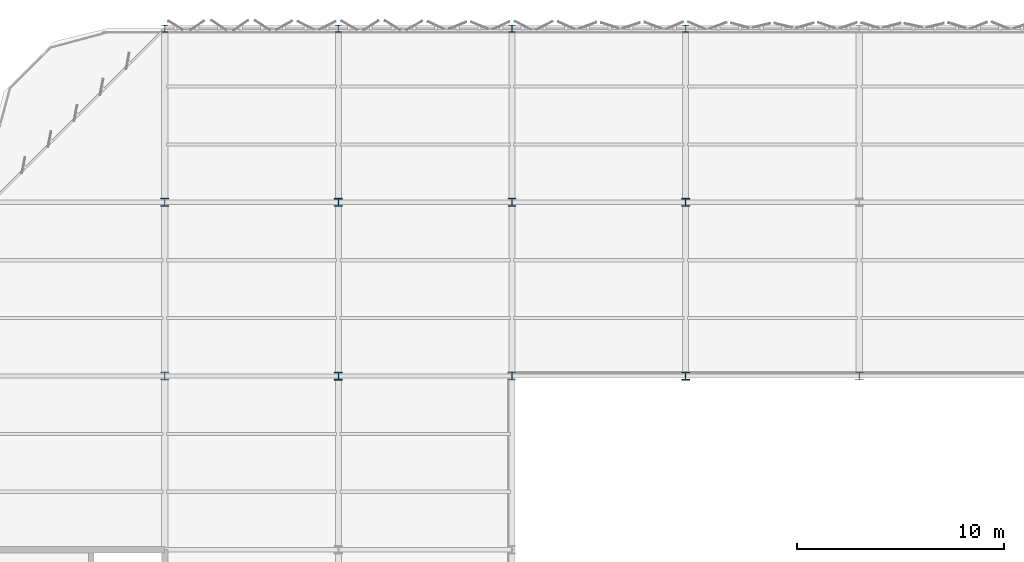
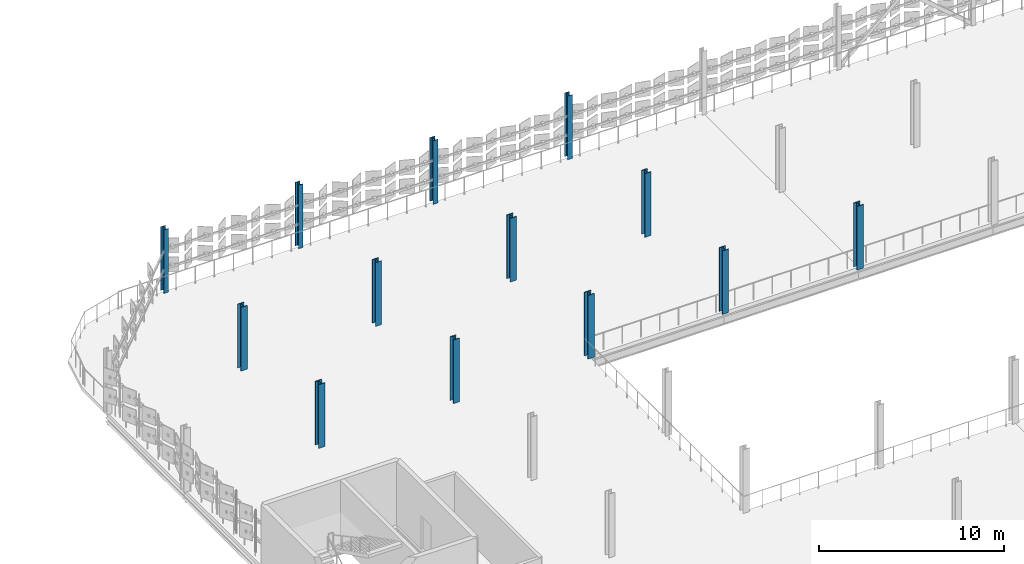
# One storey, part 13 of 184: 13 columns.
"""IFC4 building model written with IfcOpenShell, lengths in metres."""

from ifc_helpers import new_model, si_unit, direction, frame, origin, origin_2d, place, context, subcontext, project, spatial, i_section, extrude, material, material_profile, profile_set, type_object, element, save


model = new_model("IFC4")

# Units and contexts
model_context = context("Model", 3, precision=1e-05, world=origin(), true_north=direction((0.0, 1.0)))
body_context = subcontext(model_context, "Body", "Model", "MODEL_VIEW")
ifc_project = project(units=[si_unit("LENGTHUNIT", "METRE"), si_unit("AREAUNIT", "SQUARE_METRE"), si_unit("VOLUMEUNIT", "CUBIC_METRE"), si_unit("PLANEANGLEUNIT", "RADIAN"), si_unit("MASSUNIT", "GRAM", prefix="KILO")], contexts=[model_context])

# Site, building, storey
site_placement = place(None, origin())
site = spatial("IfcSite", under=ifc_project, at=site_placement, CompositionType="ELEMENT")
building_placement = place(site_placement, origin())
building = spatial("IfcBuilding", under=site, at=building_placement, Name="Qalvenar Corner Mobility Hub", CompositionType="ELEMENT")
storey_placement = place(building_placement, frame((0.0, 0.0, 9.0)))
storey = spatial("IfcBuildingStorey", under=building, at=storey_placement, Name="L02", CompositionType="ELEMENT", Elevation=9.0)

# Columns
ifc_material = material(Name="Steel S355", Category="steel")
ifc_material_profile_1 = material_profile(ifc_material, i_section(OverallWidth=0.376953125, OverallDepth=0.386962890625, WebThickness=0.0224609375, FlangeThickness=0.035888671875, FilletRadius=0.014892578125, at=origin_2d()), Name="HD360x262")
ifc_profile_set_1 = profile_set([ifc_material_profile_1], Name="Steel S355")
column_type_1 = type_object("IfcColumnType", Name="COL-HD360X262", PredefinedType="COLUMN", material=ifc_profile_set_1)
for number, where, z_axis, x_axis, name in (
    (1, (75.60009765625, 100.800048828125, 0.0), (0.0, 0.0, 1.0), (1.0, 0.0, 0.0), "Steel Column L02-G10-12"),
    (2, (75.60009765625, 109.199951171875, 0.0), (0.0, 0.0, 1.0), (1.0, 0.0, 0.0), "Steel Column L02-G10-13"),
    (3, (92.39990234375, 100.800048828125, 0.0), (0.0, 0.0, 1.0), (1.0, 0.0, 0.0), "Steel Column L02-G12-12"),
    (4, (92.39990234375, 109.199951171875, 0.0), (0.0, 0.0, 1.0), (1.0, 0.0, 0.0), "Steel Column L02-G12-13"),
):
    element("IfcColumn", number, at=place(storey_placement, frame(where, z_axis=z_axis, x_axis=x_axis)), inside=storey, type_object=column_type_1, Name=name, PredefinedType="COLUMN", context=body_context, shape_type="SweptSolid", body=[
        extrude(i_section(OverallWidth=0.376953125, OverallDepth=0.386962890625, WebThickness=0.0224609375, FlangeThickness=0.035888671875, FilletRadius=0.014892578125, at=origin_2d()), origin(), (0.0, 0.0, 1.0), 4.199951171875),
    ])
ifc_material_profile_2 = material_profile(ifc_material, i_section(OverallWidth=0.40087890625, OverallDepth=0.39892578125, WebThickness=0.02490234375, FlangeThickness=0.03955078125, FilletRadius=0.014892578125, at=origin_2d()), Name="HD400x314")
ifc_profile_set_2 = profile_set([ifc_material_profile_2], Name="Steel S355")
column_type_2 = type_object("IfcColumnType", Name="COL-HD400X314", PredefinedType="COLUMN", material=ifc_profile_set_2)
for number, where, z_axis, x_axis, name in (
    (5, (67.199951171875, 100.800048828125, 0.0), (0.0, 0.0, 1.0), (1.0, 0.0, 0.0), "Steel Column L02-G9-12"),
    (6, (67.199951171875, 109.199951171875, 0.0), (0.0, 0.0, 1.0), (1.0, 0.0, 0.0), "Steel Column L02-G9-13"),
    (7, (84.0, 100.800048828125, 0.0), (0.0, 0.0, 1.0), (1.0, 0.0, 0.0), "Steel Column L02-G11-12"),
    (8, (84.0, 109.199951171875, 0.0), (0.0, 0.0, 1.0), (1.0, 0.0, 0.0), "Steel Column L02-G11-13"),
    (9, (100.800048828125, 100.800048828125, 0.0), (0.0, 0.0, 1.0), (1.0, 0.0, 0.0), "Steel Column L02-G13-12"),
):
    element("IfcColumn", number, at=place(storey_placement, frame(where, z_axis=z_axis, x_axis=x_axis)), inside=storey, type_object=column_type_2, Name=name, PredefinedType="COLUMN", context=body_context, shape_type="SweptSolid", body=[
        extrude(i_section(OverallWidth=0.40087890625, OverallDepth=0.39892578125, WebThickness=0.02490234375, FlangeThickness=0.03955078125, FilletRadius=0.014892578125, at=origin_2d()), origin(), (0.0, 0.0, 1.0), 4.199951171875),
    ])
ifc_material_profile_3 = material_profile(ifc_material, i_section(OverallWidth=0.300048828125, OverallDepth=0.35009765625, WebThickness=0.010009765625, FlangeThickness=0.017578125, FilletRadius=0.027099609375, at=origin_2d()), Name="HEA360")
ifc_profile_set_3 = profile_set([ifc_material_profile_3], Name="Steel S355")
column_type_3 = type_object("IfcColumnType", Name="COL-HEA360", PredefinedType="COLUMN", material=ifc_profile_set_3)
for number, where, z_axis, x_axis, name in (
    (10, (75.60009765625, 117.60009765625, 0.0), (0.0, 0.0, 1.0), (1.0, 0.0, 0.0), "Steel Column L02-G10-14"),
    (11, (92.39990234375, 117.60009765625, 0.0), (0.0, 0.0, 1.0), (1.0, 0.0, 0.0), "Steel Column L02-G12-14"),
):
    element("IfcColumn", number, at=place(storey_placement, frame(where, z_axis=z_axis, x_axis=x_axis)), inside=storey, type_object=column_type_3, Name=name, PredefinedType="COLUMN", context=body_context, shape_type="SweptSolid", body=[
        extrude(i_section(OverallWidth=0.300048828125, OverallDepth=0.35009765625, WebThickness=0.010009765625, FlangeThickness=0.017578125, FilletRadius=0.027099609375, at=origin_2d()), origin(), (0.0, 0.0, 1.0), 4.199951171875),
    ])
ifc_material_profile_4 = material_profile(ifc_material, i_section(OverallWidth=0.300048828125, OverallDepth=0.360107421875, WebThickness=0.012451171875, FlangeThickness=0.0224609375, FilletRadius=0.027099609375, at=origin_2d()), Name="HEB360")
ifc_profile_set_4 = profile_set([ifc_material_profile_4], Name="Steel S355")
column_type_4 = type_object("IfcColumnType", Name="COL-HEB360", PredefinedType="COLUMN", material=ifc_profile_set_4)
for number, where, z_axis, x_axis, name in (
    (12, (67.199951171875, 117.60009765625, 0.0), (0.0, 0.0, 1.0), (1.0, 0.0, 0.0), "Steel Column L02-G9-14"),
    (13, (84.0, 117.60009765625, 0.0), (0.0, 0.0, 1.0), (1.0, 0.0, 0.0), "Steel Column L02-G11-14"),
):
    element("IfcColumn", number, at=place(storey_placement, frame(where, z_axis=z_axis, x_axis=x_axis)), inside=storey, type_object=column_type_4, Name=name, PredefinedType="COLUMN", context=body_context, shape_type="SweptSolid", body=[
        extrude(i_section(OverallWidth=0.300048828125, OverallDepth=0.360107421875, WebThickness=0.012451171875, FlangeThickness=0.0224609375, FilletRadius=0.027099609375, at=origin_2d()), origin(), (0.0, 0.0, 1.0), 4.199951171875),
    ])

save(model, "model.ifc")
